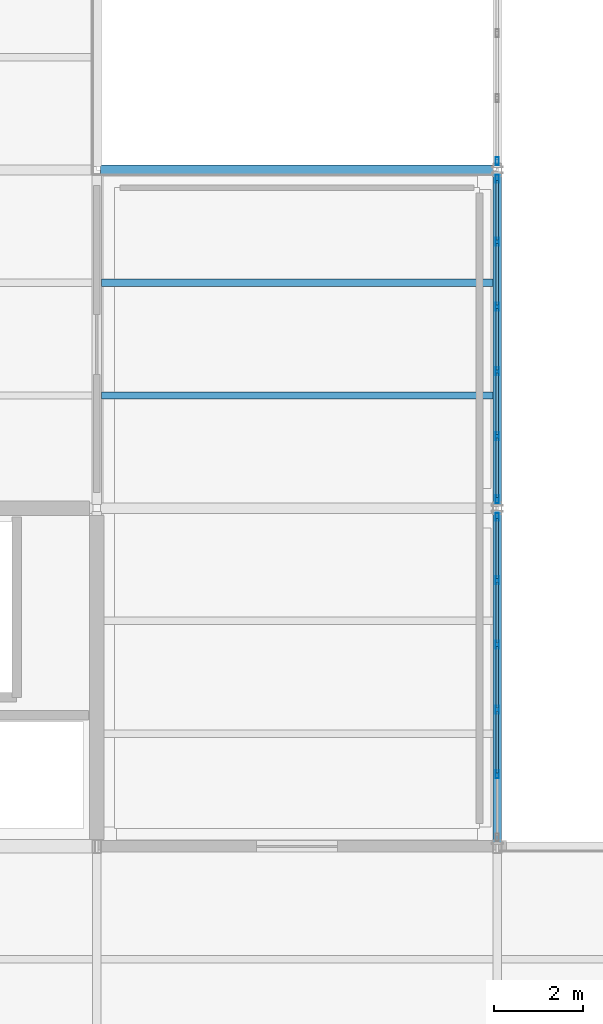
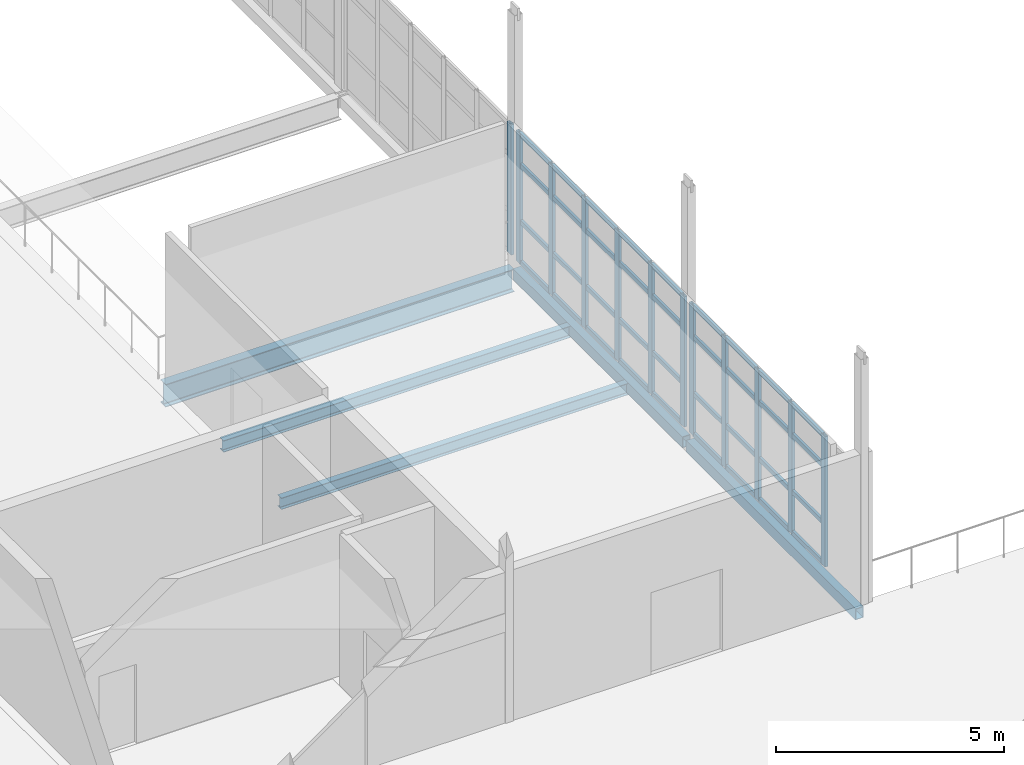
# One storey, part 66 of 166: 48 members, 5 beams, 3 elements without a shape of their own.
"""IFC4 building model written with IfcOpenShell, lengths in metres."""

from ifc_helpers import new_model, si_unit, direction, frame, origin, origin_2d, place, context, subcontext, project, spatial, hollow_rectangle, i_section, extrude, material, material_profile, profile_set, type_object, element, aggregate, save


model = new_model("IFC4")

# Units and contexts
model_context = context("Model", 3, precision=1e-05, world=origin(), true_north=direction((0.0, 1.0)))
body_context = subcontext(model_context, "Body", "Model", "MODEL_VIEW")
ifc_project = project(units=[si_unit("LENGTHUNIT", "METRE"), si_unit("AREAUNIT", "SQUARE_METRE"), si_unit("VOLUMEUNIT", "CUBIC_METRE"), si_unit("PLANEANGLEUNIT", "RADIAN"), si_unit("MASSUNIT", "GRAM", prefix="KILO")], contexts=[model_context])

# Site, building, storey
site_placement = place(None, origin())
site = spatial("IfcSite", under=ifc_project, at=site_placement, CompositionType="ELEMENT")
building_placement = place(site_placement, origin())
building = spatial("IfcBuilding", under=site, at=building_placement, Name="Caisbarro Railhouse Central Library", CompositionType="ELEMENT")
storey_placement = place(building_placement, frame((0.0, 0.0, 9.360107421875)))
storey = spatial("IfcBuildingStorey", under=building, at=storey_placement, Name="L02", CompositionType="ELEMENT", Elevation=9.360107421875)

# Beams
ifc_material_1 = material(Name="Steel ASTM A572 Grade 50", Category="steel")
ifc_material_profile_1 = material_profile(ifc_material_1, i_section(OverallWidth=0.22802734375, OverallDepth=0.60791015625, WebThickness=0.01123046875, FlangeThickness=0.017333984375, FilletRadius=0.02197265625, at=origin_2d()), Name="W610X113.0")
ifc_profile_set_1 = profile_set([ifc_material_profile_1], Name="Steel ASTM A572 Grade 50")
beam_type_1 = type_object("IfcBeamType", Name="BM-G04", PredefinedType="BEAM", material=ifc_profile_set_1)
beam_placement = place(storey_placement, frame((63.080078125, 45.60009765625, -0.524169921875), z_axis=(1.0, 0.0, 0.0), x_axis=(0.0, 1.0, 0.0)))
element("IfcBeam", 1, at=beam_placement, inside=storey, type_object=beam_type_1, Name="G04 beam L02 #1371", PredefinedType="BEAM", context=body_context, shape_type="SweptSolid", body=[
    extrude(i_section(OverallWidth=0.22802734375, OverallDepth=0.60791015625, WebThickness=0.01123046875, FlangeThickness=0.017333984375, FilletRadius=0.02197265625, at=origin_2d()), origin(), (0.0, 0.0, 1.0), 8.83984375),
])
ifc_material_profile_2 = material_profile(ifc_material_1, i_section(OverallWidth=0.1650390625, OverallDepth=0.31005859375, WebThickness=0.005859375, FlangeThickness=0.009765625, FilletRadius=0.011962890625, at=origin_2d()), Name="W310X38.7")
ifc_profile_set_2 = profile_set([ifc_material_profile_2], Name="Steel ASTM A572 Grade 50")
beam_type_2 = type_object("IfcBeamType", Name="BM-J03", PredefinedType="JOIST", material=ifc_profile_set_2)
for number, where, z_axis, x_axis, name in (
    (2, (63.1044921875, 40.533203125, -0.375), (1.0, 0.0, 0.0), (0.0, 1.0, 0.0), "J03 beam L02 #1474"),
    (3, (63.1044921875, 43.066650390625, -0.375), (1.0, 0.0, 0.0), (0.0, 1.0, 0.0), "J03 beam L02 #1475"),
):
    element("IfcBeam", number, at=place(storey_placement, frame(where, z_axis=z_axis, x_axis=x_axis)), inside=storey, type_object=beam_type_2, Name=name, PredefinedType="JOIST", context=body_context, shape_type="SweptSolid", body=[
        extrude(i_section(OverallWidth=0.1650390625, OverallDepth=0.31005859375, WebThickness=0.005859375, FlangeThickness=0.009765625, FilletRadius=0.011962890625, at=origin_2d()), origin(), (0.0, 0.0, 1.0), 8.79541015625),
    ])
ifc_material_profile_3 = material_profile(ifc_material_1, hollow_rectangle(XDim=0.199951171875, YDim=0.300048828125, WallThickness=0.012451171875, at=origin_2d()), Name="HSS300X200X12.5")
ifc_profile_set_3 = profile_set([ifc_material_profile_3], Name="Steel ASTM A572 Grade 50")
beam_type_3 = type_object("IfcBeamType", Name="BM-SP02", PredefinedType="SPANDREL", material=ifc_profile_set_3)
for number, where, z_axis, x_axis, name in (
    (4, (72.0, 30.47998046875, -0.3701171875), (0.0, 1.0, 0.0), (-1.0, 0.0, 0.0), "SP02 beam L02 #1416"),
    (5, (72.0, 38.080078125, -0.3701171875), (0.0, 1.0, 0.0), (-1.0, 0.0, 0.0), "SP02 beam L02 #1417"),
):
    element("IfcBeam", number, at=place(storey_placement, frame(where, z_axis=z_axis, x_axis=x_axis)), inside=storey, type_object=beam_type_3, Name=name, PredefinedType="SPANDREL", context=body_context, shape_type="SweptSolid", body=[
        extrude(hollow_rectangle(XDim=0.199951171875, YDim=0.300048828125, WallThickness=0.012451171875, at=origin_2d()), origin(), (0.0, 0.0, 1.0), 7.43994140625),
    ])

# Curtain wall, members
ifc_material_2 = material(Name="Anodised architectural aluminium", Category="aluminium")
curtain_wall_type = type_object("IfcCurtainWallType", Name="CW-CW02", PredefinedType="NOTDEFINED", material=ifc_material_2)
curtain_wall_1_placement = place(storey_placement, origin())
curtain_wall_1 = element("IfcCurtainWall", 6, at=curtain_wall_1_placement, inside=storey, type_object=curtain_wall_type, Name="CW02 curtain wall L02 #40", PredefinedType="NOTDEFINED")
ifc_material_profile_4 = material_profile(ifc_material_2, hollow_rectangle(XDim=0.074951171875, YDim=0.179931640625, WallThickness=0.00439453125, at=origin_2d()), Name="ALU-MUL-75X180")
ifc_profile_set_4 = profile_set([ifc_material_profile_4], Name="Anodised architectural aluminium")
member_type_1 = type_object("IfcMemberType", Name="CWM-M01", PredefinedType="MULLION", material=ifc_profile_set_4)
member_1_placement = place(storey_placement, frame((72.0, 32.01611328125, 0.0), z_axis=(0.0, 0.0, 1.0), x_axis=(-1.0, 0.0, 0.0)))
member_1 = element("IfcMember", 7, at=member_1_placement, type_object=member_type_1, Name="CW02 mullion 2", PredefinedType="MULLION", context=body_context, shape_type="SweptSolid", body=[
    extrude(hollow_rectangle(XDim=0.074951171875, YDim=0.179931640625, WallThickness=0.00439453125, at=origin_2d()), origin(), (0.0, 0.0, 1.0), 3.489990234375),
])
member_2_placement = place(storey_placement, frame((72.0, 33.471923828125, 0.0), z_axis=(0.0, 0.0, 1.0), x_axis=(-1.0, 0.0, 0.0)))
member_2 = element("IfcMember", 8, at=member_2_placement, type_object=member_type_1, Name="CW02 mullion 3", PredefinedType="MULLION", context=body_context, shape_type="SweptSolid", body=[
    extrude(hollow_rectangle(XDim=0.074951171875, YDim=0.179931640625, WallThickness=0.00439453125, at=origin_2d()), origin(), (0.0, 0.0, 1.0), 3.489990234375),
])
member_3_placement = place(storey_placement, frame((72.0, 34.927978515625, 0.0), z_axis=(0.0, 0.0, 1.0), x_axis=(-1.0, 0.0, 0.0)))
member_3 = element("IfcMember", 9, at=member_3_placement, type_object=member_type_1, Name="CW02 mullion 4", PredefinedType="MULLION", context=body_context, shape_type="SweptSolid", body=[
    extrude(hollow_rectangle(XDim=0.074951171875, YDim=0.179931640625, WallThickness=0.00439453125, at=origin_2d()), origin(), (0.0, 0.0, 1.0), 3.489990234375),
])
member_4_placement = place(storey_placement, frame((72.0, 36.384033203125, 0.0), z_axis=(0.0, 0.0, 1.0), x_axis=(-1.0, 0.0, 0.0)))
member_4 = element("IfcMember", 10, at=member_4_placement, type_object=member_type_1, Name="CW02 mullion 5", PredefinedType="MULLION", context=body_context, shape_type="SweptSolid", body=[
    extrude(hollow_rectangle(XDim=0.074951171875, YDim=0.179931640625, WallThickness=0.00439453125, at=origin_2d()), origin(), (0.0, 0.0, 1.0), 3.489990234375),
])
member_5_placement = place(storey_placement, frame((72.0, 37.802490234375, 0.0), z_axis=(0.0, 0.0, 1.0), x_axis=(-1.0, 0.0, 0.0)))
member_5 = element("IfcMember", 11, at=member_5_placement, type_object=member_type_1, Name="CW02 mullion 6", PredefinedType="MULLION", context=body_context, shape_type="SweptSolid", body=[
    extrude(hollow_rectangle(XDim=0.074951171875, YDim=0.179931640625, WallThickness=0.00439453125, at=origin_2d()), origin(), (0.0, 0.0, 1.0), 3.489990234375),
])

curtain_wall_2_placement = place(storey_placement, origin())
curtain_wall_2 = element("IfcCurtainWall", 12, at=curtain_wall_2_placement, inside=storey, type_object=curtain_wall_type, Name="CW02 curtain wall L02 #41", PredefinedType="NOTDEFINED")
member_6_placement = place(storey_placement, frame((72.0, 38.197509765625, 0.0), z_axis=(0.0, 0.0, 1.0), x_axis=(-1.0, 0.0, 0.0)))
member_6 = element("IfcMember", 13, at=member_6_placement, type_object=member_type_1, Name="CW02 mullion 1", PredefinedType="MULLION", context=body_context, shape_type="SweptSolid", body=[
    extrude(hollow_rectangle(XDim=0.074951171875, YDim=0.179931640625, WallThickness=0.00439453125, at=origin_2d()), origin(), (0.0, 0.0, 1.0), 3.489990234375),
])
member_7_placement = place(storey_placement, frame((72.0, 39.615966796875, 0.0), z_axis=(0.0, 0.0, 1.0), x_axis=(-1.0, 0.0, 0.0)))
member_7 = element("IfcMember", 14, at=member_7_placement, type_object=member_type_1, Name="CW02 mullion 2", PredefinedType="MULLION", context=body_context, shape_type="SweptSolid", body=[
    extrude(hollow_rectangle(XDim=0.074951171875, YDim=0.179931640625, WallThickness=0.00439453125, at=origin_2d()), origin(), (0.0, 0.0, 1.0), 3.489990234375),
])
member_8_placement = place(storey_placement, frame((72.0, 41.072021484375, 0.0), z_axis=(0.0, 0.0, 1.0), x_axis=(-1.0, 0.0, 0.0)))
member_8 = element("IfcMember", 15, at=member_8_placement, type_object=member_type_1, Name="CW02 mullion 3", PredefinedType="MULLION", context=body_context, shape_type="SweptSolid", body=[
    extrude(hollow_rectangle(XDim=0.074951171875, YDim=0.179931640625, WallThickness=0.00439453125, at=origin_2d()), origin(), (0.0, 0.0, 1.0), 3.489990234375),
])
member_9_placement = place(storey_placement, frame((72.0, 42.528076171875, 0.0), z_axis=(0.0, 0.0, 1.0), x_axis=(-1.0, 0.0, 0.0)))
member_9 = element("IfcMember", 16, at=member_9_placement, type_object=member_type_1, Name="CW02 mullion 4", PredefinedType="MULLION", context=body_context, shape_type="SweptSolid", body=[
    extrude(hollow_rectangle(XDim=0.074951171875, YDim=0.179931640625, WallThickness=0.00439453125, at=origin_2d()), origin(), (0.0, 0.0, 1.0), 3.489990234375),
])
member_10_placement = place(storey_placement, frame((72.0, 43.98388671875, 0.0), z_axis=(0.0, 0.0, 1.0), x_axis=(-1.0, 0.0, 0.0)))
member_10 = element("IfcMember", 17, at=member_10_placement, type_object=member_type_1, Name="CW02 mullion 5", PredefinedType="MULLION", context=body_context, shape_type="SweptSolid", body=[
    extrude(hollow_rectangle(XDim=0.074951171875, YDim=0.179931640625, WallThickness=0.00439453125, at=origin_2d()), origin(), (0.0, 0.0, 1.0), 3.489990234375),
])
member_11_placement = place(storey_placement, frame((72.0, 45.402587890625, 0.0), z_axis=(0.0, 0.0, 1.0), x_axis=(-1.0, 0.0, 0.0)))
member_11 = element("IfcMember", 18, at=member_11_placement, type_object=member_type_1, Name="CW02 mullion 6", PredefinedType="MULLION", context=body_context, shape_type="SweptSolid", body=[
    extrude(hollow_rectangle(XDim=0.074951171875, YDim=0.179931640625, WallThickness=0.00439453125, at=origin_2d()), origin(), (0.0, 0.0, 1.0), 3.489990234375),
])

# Curtain wall, member
curtain_wall_3_placement = place(storey_placement, origin())
curtain_wall_3 = element("IfcCurtainWall", 19, at=curtain_wall_3_placement, inside=storey, type_object=curtain_wall_type, Name="CW02 curtain wall L02 #42", PredefinedType="NOTDEFINED")
member_12_placement = place(storey_placement, frame((72.0, 45.797607421875, 0.0), z_axis=(0.0, 0.0, 1.0), x_axis=(-1.0, 0.0, 0.0)))
member_12 = element("IfcMember", 20, at=member_12_placement, type_object=member_type_1, Name="CW02 mullion 1", PredefinedType="MULLION", context=body_context, shape_type="SweptSolid", body=[
    extrude(hollow_rectangle(XDim=0.074951171875, YDim=0.179931640625, WallThickness=0.00439453125, at=origin_2d()), origin(), (0.0, 0.0, 1.0), 3.489990234375),
])
aggregate(curtain_wall_3, [member_12])

# Member
ifc_material_profile_5 = material_profile(ifc_material_2, hollow_rectangle(XDim=0.06494140625, YDim=0.1201171875, WallThickness=0.00341796875, at=origin_2d()), Name="ALU-TRN-65X120")
ifc_profile_set_5 = profile_set([ifc_material_profile_5], Name="Anodised architectural aluminium")
member_type_2 = type_object("IfcMemberType", Name="CWT-T02", PredefinedType="USERDEFINED", material=ifc_profile_set_5)
member_13_placement = place(storey_placement, frame((72.0, 32.053466796875, 0.032470703125), z_axis=(0.0, 1.0, 0.0), x_axis=(-1.0, 0.0, 0.0)))
member_13 = element("IfcMember", 21, at=member_13_placement, type_object=member_type_2, Name="CW02 transom 2.1", ObjectType="TRANSOM", PredefinedType="USERDEFINED", context=body_context, shape_type="SweptSolid", body=[
    extrude(hollow_rectangle(XDim=0.06494140625, YDim=0.1201171875, WallThickness=0.00341796875, at=origin_2d()), origin(), (0.0, 0.0, 1.0), 1.381103515625),
])

member_14_placement = place(storey_placement, frame((72.0, 32.053466796875, 1.119873046875), z_axis=(0.0, 1.0, 0.0), x_axis=(-1.0, 0.0, 0.0)))
member_14 = element("IfcMember", 22, at=member_14_placement, type_object=member_type_2, Name="CW02 transom 2.2", ObjectType="TRANSOM", PredefinedType="USERDEFINED", context=body_context, shape_type="SweptSolid", body=[
    extrude(hollow_rectangle(XDim=0.06494140625, YDim=0.1201171875, WallThickness=0.00341796875, at=origin_2d()), origin(), (0.0, 0.0, 1.0), 1.381103515625),
])

member_15_placement = place(storey_placement, frame((72.0, 32.053466796875, 2.639892578125), z_axis=(0.0, 1.0, 0.0), x_axis=(-1.0, 0.0, 0.0)))
member_15 = element("IfcMember", 23, at=member_15_placement, type_object=member_type_2, Name="CW02 transom 2.3", ObjectType="TRANSOM", PredefinedType="USERDEFINED", context=body_context, shape_type="SweptSolid", body=[
    extrude(hollow_rectangle(XDim=0.06494140625, YDim=0.1201171875, WallThickness=0.00341796875, at=origin_2d()), origin(), (0.0, 0.0, 1.0), 1.381103515625),
])

member_16_placement = place(storey_placement, frame((72.0, 32.053466796875, 3.457275390625), z_axis=(0.0, 1.0, 0.0), x_axis=(-1.0, 0.0, 0.0)))
member_16 = element("IfcMember", 24, at=member_16_placement, type_object=member_type_2, Name="CW02 transom 2.4", ObjectType="TRANSOM", PredefinedType="USERDEFINED", context=body_context, shape_type="SweptSolid", body=[
    extrude(hollow_rectangle(XDim=0.06494140625, YDim=0.1201171875, WallThickness=0.00341796875, at=origin_2d()), origin(), (0.0, 0.0, 1.0), 1.381103515625),
])

member_17_placement = place(storey_placement, frame((72.0, 33.509521484375, 0.032470703125), z_axis=(0.0, 1.0, 0.0), x_axis=(-1.0, 0.0, 0.0)))
member_17 = element("IfcMember", 25, at=member_17_placement, type_object=member_type_2, Name="CW02 transom 3.1", ObjectType="TRANSOM", PredefinedType="USERDEFINED", context=body_context, shape_type="SweptSolid", body=[
    extrude(hollow_rectangle(XDim=0.06494140625, YDim=0.1201171875, WallThickness=0.00341796875, at=origin_2d()), origin(), (0.0, 0.0, 1.0), 1.380859375),
])

member_18_placement = place(storey_placement, frame((72.0, 33.509521484375, 1.119873046875), z_axis=(0.0, 1.0, 0.0), x_axis=(-1.0, 0.0, 0.0)))
member_18 = element("IfcMember", 26, at=member_18_placement, type_object=member_type_2, Name="CW02 transom 3.2", ObjectType="TRANSOM", PredefinedType="USERDEFINED", context=body_context, shape_type="SweptSolid", body=[
    extrude(hollow_rectangle(XDim=0.06494140625, YDim=0.1201171875, WallThickness=0.00341796875, at=origin_2d()), origin(), (0.0, 0.0, 1.0), 1.380859375),
])

member_19_placement = place(storey_placement, frame((72.0, 33.509521484375, 2.639892578125), z_axis=(0.0, 1.0, 0.0), x_axis=(-1.0, 0.0, 0.0)))
member_19 = element("IfcMember", 27, at=member_19_placement, type_object=member_type_2, Name="CW02 transom 3.3", ObjectType="TRANSOM", PredefinedType="USERDEFINED", context=body_context, shape_type="SweptSolid", body=[
    extrude(hollow_rectangle(XDim=0.06494140625, YDim=0.1201171875, WallThickness=0.00341796875, at=origin_2d()), origin(), (0.0, 0.0, 1.0), 1.380859375),
])

member_20_placement = place(storey_placement, frame((72.0, 33.509521484375, 3.457275390625), z_axis=(0.0, 1.0, 0.0), x_axis=(-1.0, 0.0, 0.0)))
member_20 = element("IfcMember", 28, at=member_20_placement, type_object=member_type_2, Name="CW02 transom 3.4", ObjectType="TRANSOM", PredefinedType="USERDEFINED", context=body_context, shape_type="SweptSolid", body=[
    extrude(hollow_rectangle(XDim=0.06494140625, YDim=0.1201171875, WallThickness=0.00341796875, at=origin_2d()), origin(), (0.0, 0.0, 1.0), 1.380859375),
])

member_21_placement = place(storey_placement, frame((72.0, 34.965576171875, 0.032470703125), z_axis=(0.0, 1.0, 0.0), x_axis=(-1.0, 0.0, 0.0)))
member_21 = element("IfcMember", 29, at=member_21_placement, type_object=member_type_2, Name="CW02 transom 4.1", ObjectType="TRANSOM", PredefinedType="USERDEFINED", context=body_context, shape_type="SweptSolid", body=[
    extrude(hollow_rectangle(XDim=0.06494140625, YDim=0.1201171875, WallThickness=0.00341796875, at=origin_2d()), origin(), (0.0, 0.0, 1.0), 1.380859375),
])

member_22_placement = place(storey_placement, frame((72.0, 34.965576171875, 1.119873046875), z_axis=(0.0, 1.0, 0.0), x_axis=(-1.0, 0.0, 0.0)))
member_22 = element("IfcMember", 30, at=member_22_placement, type_object=member_type_2, Name="CW02 transom 4.2", ObjectType="TRANSOM", PredefinedType="USERDEFINED", context=body_context, shape_type="SweptSolid", body=[
    extrude(hollow_rectangle(XDim=0.06494140625, YDim=0.1201171875, WallThickness=0.00341796875, at=origin_2d()), origin(), (0.0, 0.0, 1.0), 1.380859375),
])

member_23_placement = place(storey_placement, frame((72.0, 34.965576171875, 2.639892578125), z_axis=(0.0, 1.0, 0.0), x_axis=(-1.0, 0.0, 0.0)))
member_23 = element("IfcMember", 31, at=member_23_placement, type_object=member_type_2, Name="CW02 transom 4.3", ObjectType="TRANSOM", PredefinedType="USERDEFINED", context=body_context, shape_type="SweptSolid", body=[
    extrude(hollow_rectangle(XDim=0.06494140625, YDim=0.1201171875, WallThickness=0.00341796875, at=origin_2d()), origin(), (0.0, 0.0, 1.0), 1.380859375),
])

member_24_placement = place(storey_placement, frame((72.0, 34.965576171875, 3.457275390625), z_axis=(0.0, 1.0, 0.0), x_axis=(-1.0, 0.0, 0.0)))
member_24 = element("IfcMember", 32, at=member_24_placement, type_object=member_type_2, Name="CW02 transom 4.4", ObjectType="TRANSOM", PredefinedType="USERDEFINED", context=body_context, shape_type="SweptSolid", body=[
    extrude(hollow_rectangle(XDim=0.06494140625, YDim=0.1201171875, WallThickness=0.00341796875, at=origin_2d()), origin(), (0.0, 0.0, 1.0), 1.380859375),
])

member_25_placement = place(storey_placement, frame((72.0, 36.42138671875, 0.032470703125), z_axis=(0.0, 1.0, 0.0), x_axis=(-1.0, 0.0, 0.0)))
member_25 = element("IfcMember", 33, at=member_25_placement, type_object=member_type_2, Name="CW02 transom 5.1", ObjectType="TRANSOM", PredefinedType="USERDEFINED", context=body_context, shape_type="SweptSolid", body=[
    extrude(hollow_rectangle(XDim=0.06494140625, YDim=0.1201171875, WallThickness=0.00341796875, at=origin_2d()), origin(), (0.0, 0.0, 1.0), 1.343505859375),
])

member_26_placement = place(storey_placement, frame((72.0, 36.42138671875, 1.119873046875), z_axis=(0.0, 1.0, 0.0), x_axis=(-1.0, 0.0, 0.0)))
member_26 = element("IfcMember", 34, at=member_26_placement, type_object=member_type_2, Name="CW02 transom 5.2", ObjectType="TRANSOM", PredefinedType="USERDEFINED", context=body_context, shape_type="SweptSolid", body=[
    extrude(hollow_rectangle(XDim=0.06494140625, YDim=0.1201171875, WallThickness=0.00341796875, at=origin_2d()), origin(), (0.0, 0.0, 1.0), 1.343505859375),
])

member_27_placement = place(storey_placement, frame((72.0, 36.42138671875, 2.639892578125), z_axis=(0.0, 1.0, 0.0), x_axis=(-1.0, 0.0, 0.0)))
member_27 = element("IfcMember", 35, at=member_27_placement, type_object=member_type_2, Name="CW02 transom 5.3", ObjectType="TRANSOM", PredefinedType="USERDEFINED", context=body_context, shape_type="SweptSolid", body=[
    extrude(hollow_rectangle(XDim=0.06494140625, YDim=0.1201171875, WallThickness=0.00341796875, at=origin_2d()), origin(), (0.0, 0.0, 1.0), 1.343505859375),
])

member_28_placement = place(storey_placement, frame((72.0, 36.42138671875, 3.457275390625), z_axis=(0.0, 1.0, 0.0), x_axis=(-1.0, 0.0, 0.0)))
member_28 = element("IfcMember", 36, at=member_28_placement, type_object=member_type_2, Name="CW02 transom 5.4", ObjectType="TRANSOM", PredefinedType="USERDEFINED", context=body_context, shape_type="SweptSolid", body=[
    extrude(hollow_rectangle(XDim=0.06494140625, YDim=0.1201171875, WallThickness=0.00341796875, at=origin_2d()), origin(), (0.0, 0.0, 1.0), 1.343505859375),
])

aggregate(curtain_wall_1, [member_1, member_2, member_3, member_4, member_5, member_13, member_14, member_15, member_16, member_17, member_18, member_19, member_20, member_21, member_22, member_23, member_24, member_25, member_26, member_27, member_28])

member_29_placement = place(storey_placement, frame((72.0, 38.235107421875, 0.032470703125), z_axis=(0.0, 1.0, 0.0), x_axis=(-1.0, 0.0, 0.0)))
member_29 = element("IfcMember", 37, at=member_29_placement, type_object=member_type_2, Name="CW02 transom 1.1", ObjectType="TRANSOM", PredefinedType="USERDEFINED", context=body_context, shape_type="SweptSolid", body=[
    extrude(hollow_rectangle(XDim=0.06494140625, YDim=0.1201171875, WallThickness=0.00341796875, at=origin_2d()), origin(), (0.0, 0.0, 1.0), 1.343505859375),
])

member_30_placement = place(storey_placement, frame((72.0, 38.235107421875, 1.119873046875), z_axis=(0.0, 1.0, 0.0), x_axis=(-1.0, 0.0, 0.0)))
member_30 = element("IfcMember", 38, at=member_30_placement, type_object=member_type_2, Name="CW02 transom 1.2", ObjectType="TRANSOM", PredefinedType="USERDEFINED", context=body_context, shape_type="SweptSolid", body=[
    extrude(hollow_rectangle(XDim=0.06494140625, YDim=0.1201171875, WallThickness=0.00341796875, at=origin_2d()), origin(), (0.0, 0.0, 1.0), 1.343505859375),
])

member_31_placement = place(storey_placement, frame((72.0, 38.235107421875, 2.639892578125), z_axis=(0.0, 1.0, 0.0), x_axis=(-1.0, 0.0, 0.0)))
member_31 = element("IfcMember", 39, at=member_31_placement, type_object=member_type_2, Name="CW02 transom 1.3", ObjectType="TRANSOM", PredefinedType="USERDEFINED", context=body_context, shape_type="SweptSolid", body=[
    extrude(hollow_rectangle(XDim=0.06494140625, YDim=0.1201171875, WallThickness=0.00341796875, at=origin_2d()), origin(), (0.0, 0.0, 1.0), 1.343505859375),
])

member_32_placement = place(storey_placement, frame((72.0, 38.235107421875, 3.457275390625), z_axis=(0.0, 1.0, 0.0), x_axis=(-1.0, 0.0, 0.0)))
member_32 = element("IfcMember", 40, at=member_32_placement, type_object=member_type_2, Name="CW02 transom 1.4", ObjectType="TRANSOM", PredefinedType="USERDEFINED", context=body_context, shape_type="SweptSolid", body=[
    extrude(hollow_rectangle(XDim=0.06494140625, YDim=0.1201171875, WallThickness=0.00341796875, at=origin_2d()), origin(), (0.0, 0.0, 1.0), 1.343505859375),
])

member_33_placement = place(storey_placement, frame((72.0, 39.653564453125, 0.032470703125), z_axis=(0.0, 1.0, 0.0), x_axis=(-1.0, 0.0, 0.0)))
member_33 = element("IfcMember", 41, at=member_33_placement, type_object=member_type_2, Name="CW02 transom 2.1", ObjectType="TRANSOM", PredefinedType="USERDEFINED", context=body_context, shape_type="SweptSolid", body=[
    extrude(hollow_rectangle(XDim=0.06494140625, YDim=0.1201171875, WallThickness=0.00341796875, at=origin_2d()), origin(), (0.0, 0.0, 1.0), 1.380859375),
])

member_34_placement = place(storey_placement, frame((72.0, 39.653564453125, 1.119873046875), z_axis=(0.0, 1.0, 0.0), x_axis=(-1.0, 0.0, 0.0)))
member_34 = element("IfcMember", 42, at=member_34_placement, type_object=member_type_2, Name="CW02 transom 2.2", ObjectType="TRANSOM", PredefinedType="USERDEFINED", context=body_context, shape_type="SweptSolid", body=[
    extrude(hollow_rectangle(XDim=0.06494140625, YDim=0.1201171875, WallThickness=0.00341796875, at=origin_2d()), origin(), (0.0, 0.0, 1.0), 1.380859375),
])

member_35_placement = place(storey_placement, frame((72.0, 39.653564453125, 2.639892578125), z_axis=(0.0, 1.0, 0.0), x_axis=(-1.0, 0.0, 0.0)))
member_35 = element("IfcMember", 43, at=member_35_placement, type_object=member_type_2, Name="CW02 transom 2.3", ObjectType="TRANSOM", PredefinedType="USERDEFINED", context=body_context, shape_type="SweptSolid", body=[
    extrude(hollow_rectangle(XDim=0.06494140625, YDim=0.1201171875, WallThickness=0.00341796875, at=origin_2d()), origin(), (0.0, 0.0, 1.0), 1.380859375),
])

member_36_placement = place(storey_placement, frame((72.0, 39.653564453125, 3.457275390625), z_axis=(0.0, 1.0, 0.0), x_axis=(-1.0, 0.0, 0.0)))
member_36 = element("IfcMember", 44, at=member_36_placement, type_object=member_type_2, Name="CW02 transom 2.4", ObjectType="TRANSOM", PredefinedType="USERDEFINED", context=body_context, shape_type="SweptSolid", body=[
    extrude(hollow_rectangle(XDim=0.06494140625, YDim=0.1201171875, WallThickness=0.00341796875, at=origin_2d()), origin(), (0.0, 0.0, 1.0), 1.380859375),
])

member_37_placement = place(storey_placement, frame((72.0, 41.109619140625, 0.032470703125), z_axis=(0.0, 1.0, 0.0), x_axis=(-1.0, 0.0, 0.0)))
member_37 = element("IfcMember", 45, at=member_37_placement, type_object=member_type_2, Name="CW02 transom 3.1", ObjectType="TRANSOM", PredefinedType="USERDEFINED", context=body_context, shape_type="SweptSolid", body=[
    extrude(hollow_rectangle(XDim=0.06494140625, YDim=0.1201171875, WallThickness=0.00341796875, at=origin_2d()), origin(), (0.0, 0.0, 1.0), 1.380859375),
])

member_38_placement = place(storey_placement, frame((72.0, 41.109619140625, 1.119873046875), z_axis=(0.0, 1.0, 0.0), x_axis=(-1.0, 0.0, 0.0)))
member_38 = element("IfcMember", 46, at=member_38_placement, type_object=member_type_2, Name="CW02 transom 3.2", ObjectType="TRANSOM", PredefinedType="USERDEFINED", context=body_context, shape_type="SweptSolid", body=[
    extrude(hollow_rectangle(XDim=0.06494140625, YDim=0.1201171875, WallThickness=0.00341796875, at=origin_2d()), origin(), (0.0, 0.0, 1.0), 1.380859375),
])

member_39_placement = place(storey_placement, frame((72.0, 41.109619140625, 2.639892578125), z_axis=(0.0, 1.0, 0.0), x_axis=(-1.0, 0.0, 0.0)))
member_39 = element("IfcMember", 47, at=member_39_placement, type_object=member_type_2, Name="CW02 transom 3.3", ObjectType="TRANSOM", PredefinedType="USERDEFINED", context=body_context, shape_type="SweptSolid", body=[
    extrude(hollow_rectangle(XDim=0.06494140625, YDim=0.1201171875, WallThickness=0.00341796875, at=origin_2d()), origin(), (0.0, 0.0, 1.0), 1.380859375),
])

member_40_placement = place(storey_placement, frame((72.0, 41.109619140625, 3.457275390625), z_axis=(0.0, 1.0, 0.0), x_axis=(-1.0, 0.0, 0.0)))
member_40 = element("IfcMember", 48, at=member_40_placement, type_object=member_type_2, Name="CW02 transom 3.4", ObjectType="TRANSOM", PredefinedType="USERDEFINED", context=body_context, shape_type="SweptSolid", body=[
    extrude(hollow_rectangle(XDim=0.06494140625, YDim=0.1201171875, WallThickness=0.00341796875, at=origin_2d()), origin(), (0.0, 0.0, 1.0), 1.380859375),
])

member_41_placement = place(storey_placement, frame((72.0, 42.5654296875, 0.032470703125), z_axis=(0.0, 1.0, 0.0), x_axis=(-1.0, 0.0, 0.0)))
member_41 = element("IfcMember", 49, at=member_41_placement, type_object=member_type_2, Name="CW02 transom 4.1", ObjectType="TRANSOM", PredefinedType="USERDEFINED", context=body_context, shape_type="SweptSolid", body=[
    extrude(hollow_rectangle(XDim=0.06494140625, YDim=0.1201171875, WallThickness=0.00341796875, at=origin_2d()), origin(), (0.0, 0.0, 1.0), 1.381103515625),
])

member_42_placement = place(storey_placement, frame((72.0, 42.5654296875, 1.119873046875), z_axis=(0.0, 1.0, 0.0), x_axis=(-1.0, 0.0, 0.0)))
member_42 = element("IfcMember", 50, at=member_42_placement, type_object=member_type_2, Name="CW02 transom 4.2", ObjectType="TRANSOM", PredefinedType="USERDEFINED", context=body_context, shape_type="SweptSolid", body=[
    extrude(hollow_rectangle(XDim=0.06494140625, YDim=0.1201171875, WallThickness=0.00341796875, at=origin_2d()), origin(), (0.0, 0.0, 1.0), 1.381103515625),
])

member_43_placement = place(storey_placement, frame((72.0, 42.5654296875, 2.639892578125), z_axis=(0.0, 1.0, 0.0), x_axis=(-1.0, 0.0, 0.0)))
member_43 = element("IfcMember", 51, at=member_43_placement, type_object=member_type_2, Name="CW02 transom 4.3", ObjectType="TRANSOM", PredefinedType="USERDEFINED", context=body_context, shape_type="SweptSolid", body=[
    extrude(hollow_rectangle(XDim=0.06494140625, YDim=0.1201171875, WallThickness=0.00341796875, at=origin_2d()), origin(), (0.0, 0.0, 1.0), 1.381103515625),
])

member_44_placement = place(storey_placement, frame((72.0, 42.5654296875, 3.457275390625), z_axis=(0.0, 1.0, 0.0), x_axis=(-1.0, 0.0, 0.0)))
member_44 = element("IfcMember", 52, at=member_44_placement, type_object=member_type_2, Name="CW02 transom 4.4", ObjectType="TRANSOM", PredefinedType="USERDEFINED", context=body_context, shape_type="SweptSolid", body=[
    extrude(hollow_rectangle(XDim=0.06494140625, YDim=0.1201171875, WallThickness=0.00341796875, at=origin_2d()), origin(), (0.0, 0.0, 1.0), 1.381103515625),
])

member_45_placement = place(storey_placement, frame((72.0, 44.021484375, 0.032470703125), z_axis=(0.0, 1.0, 0.0), x_axis=(-1.0, 0.0, 0.0)))
member_45 = element("IfcMember", 53, at=member_45_placement, type_object=member_type_2, Name="CW02 transom 5.1", ObjectType="TRANSOM", PredefinedType="USERDEFINED", context=body_context, shape_type="SweptSolid", body=[
    extrude(hollow_rectangle(XDim=0.06494140625, YDim=0.1201171875, WallThickness=0.00341796875, at=origin_2d()), origin(), (0.0, 0.0, 1.0), 1.343505859375),
])

member_46_placement = place(storey_placement, frame((72.0, 44.021484375, 1.119873046875), z_axis=(0.0, 1.0, 0.0), x_axis=(-1.0, 0.0, 0.0)))
member_46 = element("IfcMember", 54, at=member_46_placement, type_object=member_type_2, Name="CW02 transom 5.2", ObjectType="TRANSOM", PredefinedType="USERDEFINED", context=body_context, shape_type="SweptSolid", body=[
    extrude(hollow_rectangle(XDim=0.06494140625, YDim=0.1201171875, WallThickness=0.00341796875, at=origin_2d()), origin(), (0.0, 0.0, 1.0), 1.343505859375),
])

member_47_placement = place(storey_placement, frame((72.0, 44.021484375, 2.639892578125), z_axis=(0.0, 1.0, 0.0), x_axis=(-1.0, 0.0, 0.0)))
member_47 = element("IfcMember", 55, at=member_47_placement, type_object=member_type_2, Name="CW02 transom 5.3", ObjectType="TRANSOM", PredefinedType="USERDEFINED", context=body_context, shape_type="SweptSolid", body=[
    extrude(hollow_rectangle(XDim=0.06494140625, YDim=0.1201171875, WallThickness=0.00341796875, at=origin_2d()), origin(), (0.0, 0.0, 1.0), 1.343505859375),
])

member_48_placement = place(storey_placement, frame((72.0, 44.021484375, 3.457275390625), z_axis=(0.0, 1.0, 0.0), x_axis=(-1.0, 0.0, 0.0)))
member_48 = element("IfcMember", 56, at=member_48_placement, type_object=member_type_2, Name="CW02 transom 5.4", ObjectType="TRANSOM", PredefinedType="USERDEFINED", context=body_context, shape_type="SweptSolid", body=[
    extrude(hollow_rectangle(XDim=0.06494140625, YDim=0.1201171875, WallThickness=0.00341796875, at=origin_2d()), origin(), (0.0, 0.0, 1.0), 1.343505859375),
])

aggregate(curtain_wall_2, [member_6, member_7, member_8, member_9, member_10, member_11, member_29, member_30, member_31, member_32, member_33, member_34, member_35, member_36, member_37, member_38, member_39, member_40, member_41, member_42, member_43, member_44, member_45, member_46, member_47, member_48])

save(model, "model.ifc")
